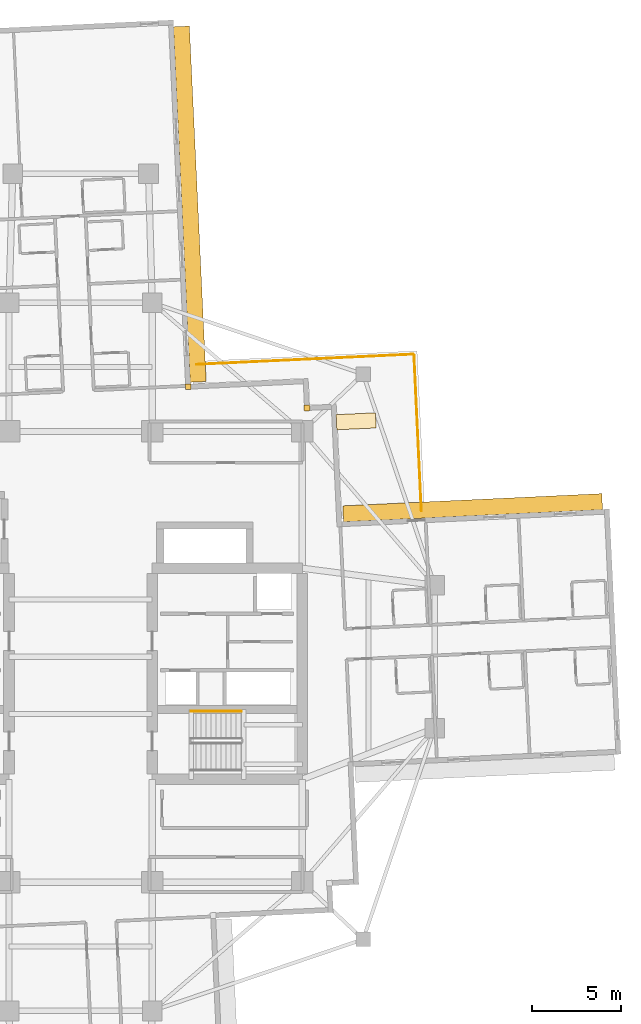
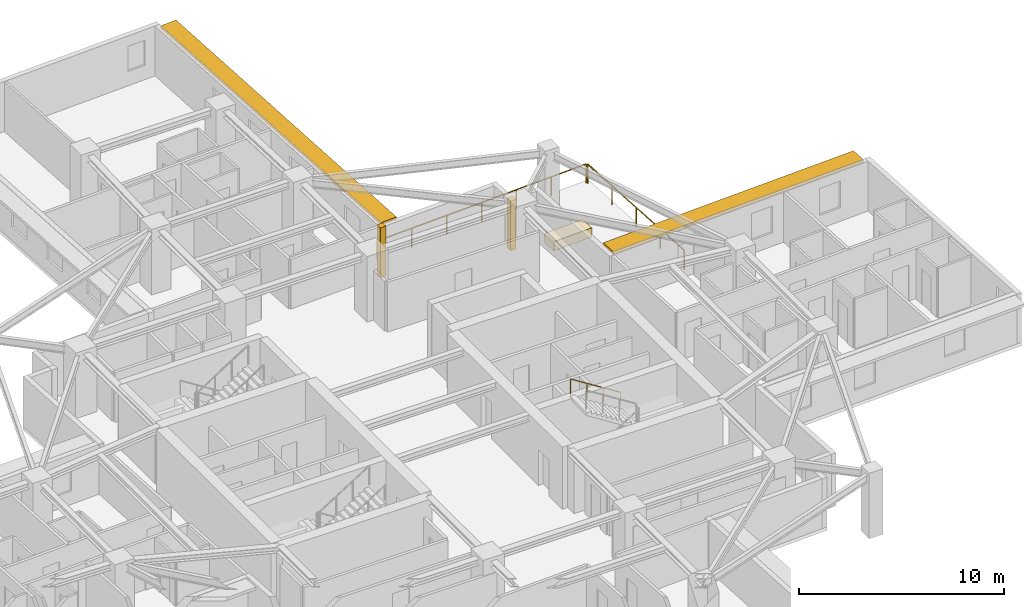
# One storey, part 14 of 14: 3 coverings, 3 railings, 2 shading devices.
"""IFC4 building model written with IfcOpenShell, lengths in metres."""

from ifc_helpers import new_model, si_unit, direction, frame, origin, origin_2d, place, context, subcontext, project, spatial, rectangle, circle, extrude, material, layer, layer_set, type_object, element, save


model = new_model("IFC4")

# Units and contexts
model_context = context("Model", 3, precision=1e-05, world=origin(), true_north=direction((0.0, 1.0)))
body_context = subcontext(model_context, "Body", "Model", "MODEL_VIEW")
ifc_project = project(units=[si_unit("LENGTHUNIT", "METRE"), si_unit("AREAUNIT", "SQUARE_METRE"), si_unit("VOLUMEUNIT", "CUBIC_METRE"), si_unit("PLANEANGLEUNIT", "RADIAN"), si_unit("MASSUNIT", "GRAM", prefix="KILO")], contexts=[model_context])

# Site, building, storey
site_placement = place(None, origin())
site = spatial("IfcSite", under=ifc_project, at=site_placement, CompositionType="ELEMENT")
building_placement = place(site_placement, origin())
building = spatial("IfcBuilding", under=site, at=building_placement, Name="Qingluan Cross Belvedere", CompositionType="ELEMENT")
storey_placement = place(building_placement, frame((0.0, 0.0, 132.0)))
storey = spatial("IfcBuildingStorey", under=building, at=storey_placement, Name="L33", CompositionType="ELEMENT", Elevation=132.0)

# Coverings
ifc_material_1 = material(Name="Precast concrete C45", Category="concrete")
ifc_layer_1 = layer(ifc_material_1, 0.1201171875, Name="ConcreteSpandrelCladding_120")
ifc_layer_set_1 = layer_set([ifc_layer_1], Name="Precast concrete C45")
covering_type_1 = type_object("IfcCoveringType", Name="ConcreteSpandrelCladding_120", PredefinedType="CLADDING", material=ifc_layer_set_1)
for number, where, z_axis, x_axis, name in (
    (1, (12.65869140625, 13.911865234375, 0.0), (0.0, 0.0, 1.0), (0.998889874962, 0.04710645071, 0.0), "Corner closure L33-NE1"),
    (2, (6.015380859375, 15.10009765625, 0.0), (0.0, 0.0, 1.0), (0.998889874962, 0.04710645071, 0.0), "Corner closure L33-NE2"),
):
    element("IfcCovering", number, at=place(storey_placement, frame(where, z_axis=z_axis, x_axis=x_axis)), inside=storey, type_object=covering_type_1, Name=name, PredefinedType="CLADDING", context=body_context, shape_type="SweptSolid", body=[
        extrude(rectangle(XDim=0.320068359375, YDim=0.320068359375, at=origin_2d()), origin(), (0.0, 0.0, 1.0), 2.969970703125),
    ])

# Shading devices
ifc_material_2 = material(Name="Precast concrete C45", Category="concrete")
ifc_layer_2 = layer(ifc_material_2, 0.159912109375, Name="ConcreteSunshadeBand_900")
ifc_layer_set_2 = layer_set([ifc_layer_2], Name="Precast concrete C45")
shading_device_type = type_object("IfcShadingDeviceType", Name="ConcreteSunshadeBand_900", PredefinedType="USERDEFINED", material=ifc_layer_set_2)
shading_device_1_placement = place(storey_placement, frame((21.921875, 8.331787109375, 2.7900390625), z_axis=(0.0, 0.0, 1.0), x_axis=(-0.998889750114, -0.047109098032, 0.0)))
element("IfcShadingDevice", 3, at=shading_device_1_placement, inside=storey, type_object=shading_device_type, Name="Concrete SUNSHADE L33-EB", ObjectType="SUNSHADE", PredefinedType="USERDEFINED", context=body_context, shape_type="SweptSolid", body=[
    extrude(rectangle(XDim=14.5, YDim=0.89990234375, at=origin_2d()), origin(), (0.0, 0.0, 1.0), 0.159912109375),
])
shading_device_2_placement = place(storey_placement, frame((6.104736328125, 25.3056640625, 2.7900390625), z_axis=(0.0, 0.0, 1.0), x_axis=(-0.04710941444, 0.998889735192, 0.0)))
element("IfcShadingDevice", 4, at=shading_device_2_placement, inside=storey, type_object=shading_device_type, Name="Concrete SUNSHADE L33-NA", ObjectType="SUNSHADE", PredefinedType="USERDEFINED", context=body_context, shape_type="SweptSolid", body=[
    extrude(rectangle(XDim=19.89990234375, YDim=0.89990234375, at=origin_2d()), origin(), (0.0, 0.0, 1.0), 0.159912109375),
])

# Railings
ifc_material_3 = material(Name="Brushed stainless steel tubular handrail", Category="steel")
railing_type_1 = type_object("IfcRailingType", Name="StairPitchHandrail_900", PredefinedType="HANDRAIL", material=ifc_material_3)
railing_1_placement = place(storey_placement, frame((8.97998046875, -3.050048828125, 2.127197265625)))
element("IfcRailing", 5, at=railing_1_placement, inside=storey, type_object=railing_type_1, Name="L33 ST2 stair handrail 2", PredefinedType="HANDRAIL", context=body_context, shape_type="SweptSolid", body=[
    extrude(circle(Radius=0.02392578125, at=origin_2d()), frame((0.0, 0.0, 0.8759765625), z_axis=(-0.844908973607, 0.0, 0.534910110503), x_axis=(0.0, -1.0, 0.0)), (0.0, 0.0, 1.0), 3.31396484375),
    extrude(circle(Radius=0.02099609375, at=origin_2d()), origin(), (0.0, 0.0, 1.0), 0.851806640625),
    extrude(circle(Radius=0.02099609375, at=origin_2d()), frame((-0.933349609375, 0.0, 0.5908203125)), (0.0, 0.0, 1.0), 0.851806640625),
    extrude(circle(Radius=0.02099609375, at=origin_2d()), frame((-1.86669921875, 0.0, 1.181884765625)), (0.0, 0.0, 1.0), 0.851806640625),
    extrude(circle(Radius=0.02099609375, at=origin_2d()), frame((-2.800048828125, 0.0, 1.772705078125)), (0.0, 0.0, 1.0), 0.851806640625),
])
ifc_material_4 = material(Name="Laminated glass and stainless steel balustrade", Category="steel")
railing_type_2 = type_object("IfcRailingType", Name="TerraceGuardBalustrade_1150", PredefinedType="BALUSTRADE", material=ifc_material_4)
railing_2_placement = place(storey_placement, frame((6.477294921875, 16.34326171875, 0.0)))
element("IfcRailing", 6, at=railing_2_placement, inside=storey, type_object=railing_type_2, Name="Terrace guard L33-1", PredefinedType="BALUSTRADE", context=body_context, shape_type="SweptSolid", body=[
    extrude(circle(Radius=0.02392578125, at=origin_2d()), frame((0.0, 0.0, 1.1259765625), z_axis=(0.998889411148, 0.047116284841, 0.0), x_axis=(-0.047116284841, 0.998889411148, 0.0)), (0.0, 0.0, 1.0), 12.119873046875),
    extrude(circle(Radius=0.02099609375, at=origin_2d()), origin(), (0.0, 0.0, 1.0), 1.101806640625),
    extrude(circle(Radius=0.02099609375, at=origin_2d()), frame((2.017822265625, 0.09521484375, 0.0)), (0.0, 0.0, 1.0), 1.101806640625),
    extrude(circle(Radius=0.02099609375, at=origin_2d()), frame((4.035400390625, 0.1904296875, 0.0)), (0.0, 0.0, 1.0), 1.101806640625),
    extrude(circle(Radius=0.02099609375, at=origin_2d()), frame((6.05322265625, 0.28564453125, 0.0)), (0.0, 0.0, 1.0), 1.101806640625),
    extrude(circle(Radius=0.02099609375, at=origin_2d()), frame((8.071044921875, 0.380615234375, 0.0)), (0.0, 0.0, 1.0), 1.101806640625),
    extrude(circle(Radius=0.02099609375, at=origin_2d()), frame((10.088623046875, 0.475830078125, 0.0)), (0.0, 0.0, 1.0), 1.101806640625),
    extrude(circle(Radius=0.02099609375, at=origin_2d()), frame((12.1064453125, 0.571044921875, 0.0)), (0.0, 0.0, 1.0), 1.101806640625),
])
railing_3_placement = place(storey_placement, frame((18.646484375, 16.857177734375, 0.0)))
element("IfcRailing", 7, at=railing_3_placement, inside=storey, type_object=railing_type_2, Name="Terrace guard L33-2", PredefinedType="BALUSTRADE", context=body_context, shape_type="SweptSolid", body=[
    extrude(circle(Radius=0.02392578125, at=origin_2d()), frame((0.0, 0.0, 1.1259765625), z_axis=(0.047119530839, -0.998889258033, 0.0), x_axis=(0.998889258033, 0.047119530839, 0.0)), (0.0, 0.0, 1.0), 8.72021484375),
    extrude(circle(Radius=0.02099609375, at=origin_2d()), origin(), (0.0, 0.0, 1.0), 1.101806640625),
    extrude(circle(Radius=0.02099609375, at=origin_2d()), frame((0.102783203125, -2.177734375, 0.0)), (0.0, 0.0, 1.0), 1.101806640625),
    extrude(circle(Radius=0.02099609375, at=origin_2d()), frame((0.20556640625, -4.355224609375, 0.0)), (0.0, 0.0, 1.0), 1.101806640625),
    extrude(circle(Radius=0.02099609375, at=origin_2d()), frame((0.30810546875, -6.53271484375, 0.0)), (0.0, 0.0, 1.0), 1.101806640625),
    extrude(circle(Radius=0.02099609375, at=origin_2d()), frame((0.410888671875, -8.71044921875, 0.0)), (0.0, 0.0, 1.0), 1.101806640625),
])

# Covering
ifc_material_5 = material(Name="Precast concrete C40", Category="concrete")
ifc_layer_3 = layer(ifc_material_5, 0.550048828125, Name="TerracePlanterBox")
ifc_layer_set_3 = layer_set([ifc_layer_3], Name="Precast concrete C40")
covering_type_2 = type_object("IfcCoveringType", Name="TerracePlanterBox", PredefinedType="USERDEFINED", material=ifc_layer_set_3)
covering_placement = place(storey_placement, frame((15.406005859375, 13.166015625, 0.0), z_axis=(0.0, 0.0, 1.0), x_axis=(0.998889874962, 0.04710645071, 0.0)))
element("IfcCovering", 8, at=covering_placement, inside=storey, type_object=covering_type_2, Name="Spiralling winter-garden planter L33", ObjectType="PLANTER", PredefinedType="USERDEFINED", context=body_context, shape_type="SweptSolid", body=[
    extrude(rectangle(XDim=2.199951171875, YDim=0.85009765625, at=origin_2d()), origin(), (0.0, 0.0, 1.0), 0.550048828125),
])

save(model, "model.ifc")
